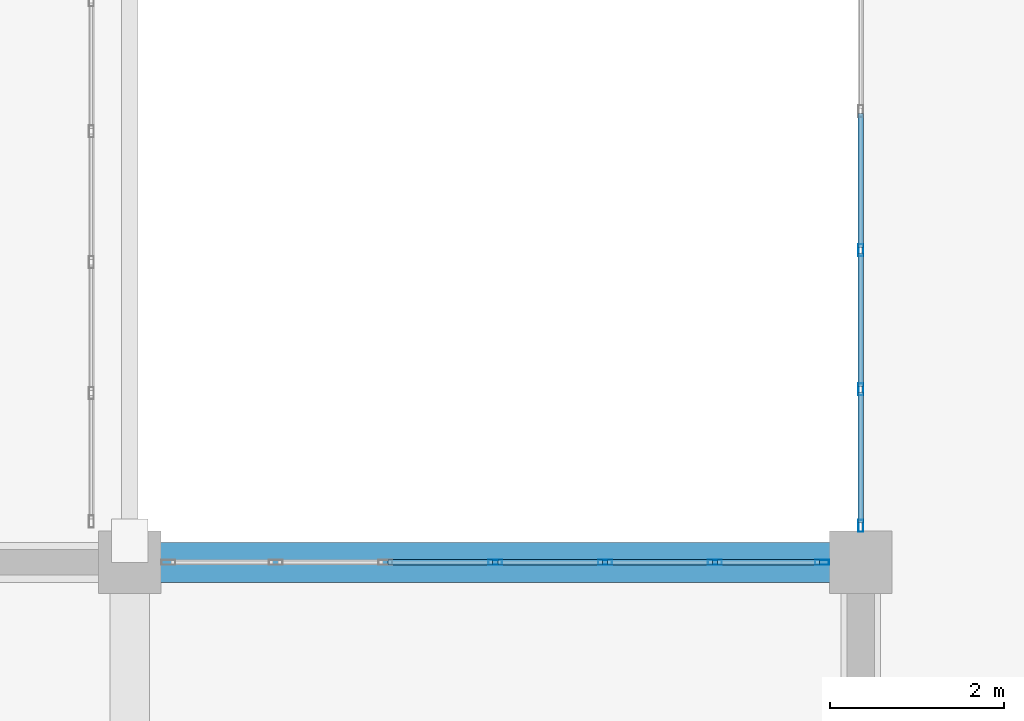
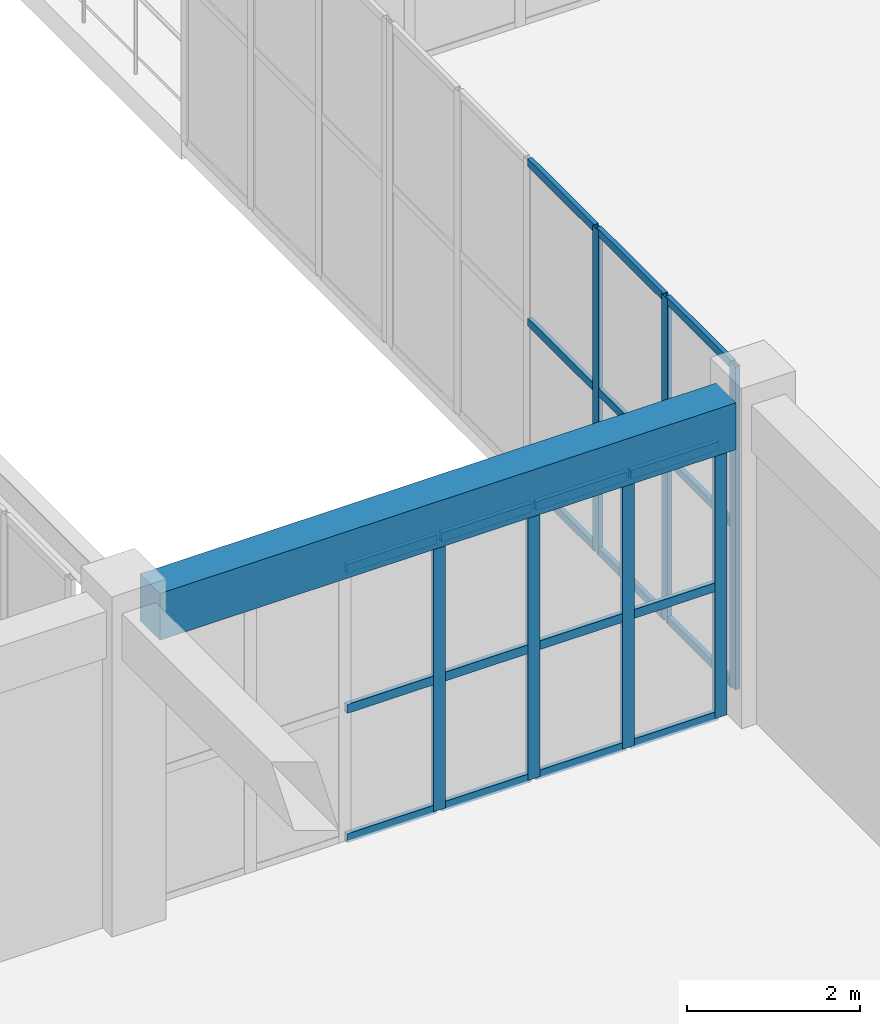
# One storey, part 67 of 158: 28 members, 1 beam, 2 elements without a shape of their own.
"""IFC4 building model written with IfcOpenShell, lengths in metres."""

from ifc_helpers import new_model, si_unit, direction, frame, origin, origin_2d, place, context, subcontext, project, spatial, rectangle, hollow_rectangle, extrude, material, layer, layer_set, material_profile, profile_set, type_object, element, aggregate, save


model = new_model("IFC4")

# Units and contexts
model_context = context("Model", 3, precision=1e-05, world=origin(), true_north=direction((0.0, 1.0)))
body_context = subcontext(model_context, "Body", "Model", "MODEL_VIEW")
ifc_project = project(units=[si_unit("LENGTHUNIT", "METRE"), si_unit("AREAUNIT", "SQUARE_METRE"), si_unit("VOLUMEUNIT", "CUBIC_METRE"), si_unit("PLANEANGLEUNIT", "RADIAN"), si_unit("MASSUNIT", "GRAM", prefix="KILO")], contexts=[model_context])

# Site, building, storey
site_placement = place(None, origin())
site = spatial("IfcSite", under=ifc_project, at=site_placement, CompositionType="ELEMENT")
building_placement = place(site_placement, origin())
building = spatial("IfcBuilding", under=site, at=building_placement, Name="Trelvath General Hospital", CompositionType="ELEMENT")
storey_placement = place(building_placement, frame((0.0, 0.0, 8.10009765625)))
storey = spatial("IfcBuildingStorey", under=building, at=storey_placement, Name="L02", CompositionType="ELEMENT", Elevation=8.10009765625)

# Beam
ifc_material_1 = material(Name="Concrete C35/45", Category="concrete")
ifc_material_profile_1 = material_profile(ifc_material_1, rectangle(XDim=0.4599609375, YDim=0.659912109375, at=origin_2d()), Name="RCB460x660")
ifc_profile_set_1 = profile_set([ifc_material_profile_1], Name="Concrete C35/45")
beam_type = type_object("IfcBeamType", Name="Beam RC460x660", PredefinedType="BEAM", material=ifc_profile_set_1)
beam_placement = place(storey_placement, frame((84.35498046875, 67.199951171875, 4.18994140625), z_axis=(1.0, 0.0, 0.0), x_axis=(0.0, 1.0, 0.0)))
element("IfcBeam", 1, at=beam_placement, inside=storey, type_object=beam_type, Name="Grid Beam BX-210I", PredefinedType="BEAM", context=body_context, shape_type="SweptSolid", body=[
    extrude(rectangle(XDim=0.4599609375, YDim=0.659912109375, at=origin_2d()), origin(), (0.0, 0.0, 1.0), 7.68994140625),
])

# Curtain wall, members
ifc_material_2 = material(Name="Anodised aluminium and low-E glass", Category="aluminium")
ifc_layer_1 = layer(ifc_material_2, 0.139892578125)
ifc_layer_set_1 = layer_set([ifc_layer_1], Name="Anodised aluminium and low-E glass")
curtain_wall_type_1 = type_object("IfcCurtainWallType", Name="CW CrystalCube 799 456 14", PredefinedType="USERDEFINED", material=ifc_layer_set_1)
curtain_wall_1_placement = place(storey_placement, origin())
curtain_wall_1 = element("IfcCurtainWall", 2, at=curtain_wall_1_placement, inside=storey, type_object=curtain_wall_type_1, Name="Crystal Cube Curtain Wall CUBE-E-T1 W6 L02", ObjectType="Unitised Glazed Curtain Wall", PredefinedType="USERDEFINED")
ifc_material_3 = material(Name="Anodised aluminium", Category="aluminium")
ifc_material_profile_2 = material_profile(ifc_material_3, hollow_rectangle(XDim=0.06005859375, YDim=0.139892578125, WallThickness=0.00390625, at=origin_2d()), Name="RHS60x140x4")
ifc_profile_set_2 = profile_set([ifc_material_profile_2], Name="Anodised aluminium")
member_type_1 = type_object("IfcMemberType", Name="CurtainMullion 60x140", PredefinedType="MULLION", material=ifc_profile_set_2)
member_1_placement = place(storey_placement, frame((92.39990234375, 67.6201171875, 0.0), z_axis=(0.0, 0.0, 1.0), x_axis=(-1.0, 0.0, 0.0)))
member_1 = element("IfcMember", 3, at=member_1_placement, type_object=member_type_1, Name="CW-217 mullion 1", PredefinedType="MULLION", context=body_context, shape_type="SweptSolid", body=[
    extrude(hollow_rectangle(XDim=0.06005859375, YDim=0.139892578125, WallThickness=0.00390625, at=origin_2d()), origin(), (0.0, 0.0, 1.0), 4.559814453125),
])
member_2_placement = place(storey_placement, frame((92.39990234375, 69.18798828125, 0.0), z_axis=(0.0, 0.0, 1.0), x_axis=(-1.0, 0.0, 0.0)))
member_2 = element("IfcMember", 4, at=member_2_placement, type_object=member_type_1, Name="CW-217 mullion 2", PredefinedType="MULLION", context=body_context, shape_type="SweptSolid", body=[
    extrude(hollow_rectangle(XDim=0.06005859375, YDim=0.139892578125, WallThickness=0.00390625, at=origin_2d()), origin(), (0.0, 0.0, 1.0), 4.559814453125),
])
member_3_placement = place(storey_placement, frame((92.39990234375, 70.785888671875, 0.0), z_axis=(0.0, 0.0, 1.0), x_axis=(-1.0, 0.0, 0.0)))
member_3 = element("IfcMember", 5, at=member_3_placement, type_object=member_type_1, Name="CW-217 mullion 3", PredefinedType="MULLION", context=body_context, shape_type="SweptSolid", body=[
    extrude(hollow_rectangle(XDim=0.06005859375, YDim=0.139892578125, WallThickness=0.00390625, at=origin_2d()), origin(), (0.0, 0.0, 1.0), 4.559814453125),
])

ifc_material_4 = material(Name="Anodised aluminium and low-E glass", Category="aluminium")
ifc_layer_2 = layer(ifc_material_4, 0.159912109375)
ifc_layer_set_2 = layer_set([ifc_layer_2], Name="Anodised aluminium and low-E glass")
curtain_wall_type_2 = type_object("IfcCurtainWallType", Name="CW Facade 757 386 16", PredefinedType="USERDEFINED", material=ifc_layer_set_2)
curtain_wall_2_placement = place(storey_placement, origin())
curtain_wall_2 = element("IfcCurtainWall", 6, at=curtain_wall_2_placement, inside=storey, type_object=curtain_wall_type_2, Name="Facade Curtain Wall CW-043", ObjectType="Unitised Glazed Curtain Wall", PredefinedType="USERDEFINED")
ifc_material_5 = material(Name="Anodised aluminium", Category="aluminium")
ifc_material_profile_3 = material_profile(ifc_material_5, hollow_rectangle(XDim=0.06005859375, YDim=0.159912109375, WallThickness=0.00390625, at=origin_2d()), Name="RHS60x160x4")
ifc_profile_set_3 = profile_set([ifc_material_profile_3], Name="Anodised aluminium")
member_type_2 = type_object("IfcMemberType", Name="CurtainMullion 60x160", PredefinedType="MULLION", material=ifc_profile_set_3)
member_4_placement = place(storey_placement, frame((88.199951171875, 67.199951171875, 0.0), z_axis=(0.0, 0.0, 1.0), x_axis=(0.0, 1.0, 0.0)))
member_4 = element("IfcMember", 7, at=member_4_placement, type_object=member_type_2, Name="CW-043 mullion 4", PredefinedType="MULLION", context=body_context, shape_type="SweptSolid", body=[
    extrude(hollow_rectangle(XDim=0.06005859375, YDim=0.159912109375, WallThickness=0.00390625, at=origin_2d()), origin(), (0.0, 0.0, 1.0), 3.85986328125),
])
member_5_placement = place(storey_placement, frame((89.461669921875, 67.199951171875, 0.0), z_axis=(0.0, 0.0, 1.0), x_axis=(0.0, 1.0, 0.0)))
member_5 = element("IfcMember", 8, at=member_5_placement, type_object=member_type_2, Name="CW-043 mullion 5", PredefinedType="MULLION", context=body_context, shape_type="SweptSolid", body=[
    extrude(hollow_rectangle(XDim=0.06005859375, YDim=0.159912109375, WallThickness=0.00390625, at=origin_2d()), origin(), (0.0, 0.0, 1.0), 3.85986328125),
])
member_6_placement = place(storey_placement, frame((90.723388671875, 67.199951171875, 0.0), z_axis=(0.0, 0.0, 1.0), x_axis=(0.0, 1.0, 0.0)))
member_6 = element("IfcMember", 9, at=member_6_placement, type_object=member_type_2, Name="CW-043 mullion 6", PredefinedType="MULLION", context=body_context, shape_type="SweptSolid", body=[
    extrude(hollow_rectangle(XDim=0.06005859375, YDim=0.159912109375, WallThickness=0.00390625, at=origin_2d()), origin(), (0.0, 0.0, 1.0), 3.85986328125),
])
member_7_placement = place(storey_placement, frame((91.955078125, 67.199951171875, 0.0), z_axis=(0.0, 0.0, 1.0), x_axis=(0.0, 1.0, 0.0)))
member_7 = element("IfcMember", 10, at=member_7_placement, type_object=member_type_2, Name="CW-043 mullion 7", PredefinedType="MULLION", context=body_context, shape_type="SweptSolid", body=[
    extrude(hollow_rectangle(XDim=0.06005859375, YDim=0.159912109375, WallThickness=0.00390625, at=origin_2d()), origin(), (0.0, 0.0, 1.0), 3.85986328125),
])

# Member
ifc_material_6 = material(Name="Anodised aluminium", Category="aluminium")
ifc_material_profile_4 = material_profile(ifc_material_6, hollow_rectangle(XDim=0.06005859375, YDim=0.110107421875, WallThickness=0.00390625, at=origin_2d()), Name="RHS60x110x4")
ifc_profile_set_4 = profile_set([ifc_material_profile_4], Name="Anodised aluminium")
member_type_3 = type_object("IfcMemberType", Name="CurtainTransom 60x110", PredefinedType="USERDEFINED", material=ifc_profile_set_4)
member_8_placement = place(storey_placement, frame((92.39990234375, 67.64990234375, 0.02978515625), z_axis=(0.0, 1.0, 0.0), x_axis=(-1.0, 0.0, 0.0)))
member_8 = element("IfcMember", 11, at=member_8_placement, type_object=member_type_3, Name="CW-217 transom 1.1", ObjectType="TRANSOM", PredefinedType="USERDEFINED", context=body_context, shape_type="SweptSolid", body=[
    extrude(hollow_rectangle(XDim=0.06005859375, YDim=0.110107421875, WallThickness=0.00390625, at=origin_2d()), origin(), (0.0, 0.0, 1.0), 1.508056640625),
])

member_9_placement = place(storey_placement, frame((92.39990234375, 67.64990234375, 2.27978515625), z_axis=(0.0, 1.0, 0.0), x_axis=(-1.0, 0.0, 0.0)))
member_9 = element("IfcMember", 12, at=member_9_placement, type_object=member_type_3, Name="CW-217 transom 1.2", ObjectType="TRANSOM", PredefinedType="USERDEFINED", context=body_context, shape_type="SweptSolid", body=[
    extrude(hollow_rectangle(XDim=0.06005859375, YDim=0.110107421875, WallThickness=0.00390625, at=origin_2d()), origin(), (0.0, 0.0, 1.0), 1.508056640625),
])

member_10_placement = place(storey_placement, frame((92.39990234375, 67.64990234375, 4.52978515625), z_axis=(0.0, 1.0, 0.0), x_axis=(-1.0, 0.0, 0.0)))
member_10 = element("IfcMember", 13, at=member_10_placement, type_object=member_type_3, Name="CW-217 transom 1.3", ObjectType="TRANSOM", PredefinedType="USERDEFINED", context=body_context, shape_type="SweptSolid", body=[
    extrude(hollow_rectangle(XDim=0.06005859375, YDim=0.110107421875, WallThickness=0.00390625, at=origin_2d()), origin(), (0.0, 0.0, 1.0), 1.508056640625),
])

member_11_placement = place(storey_placement, frame((92.39990234375, 69.218017578125, 0.02978515625), z_axis=(0.0, 1.0, 0.0), x_axis=(-1.0, 0.0, 0.0)))
member_11 = element("IfcMember", 14, at=member_11_placement, type_object=member_type_3, Name="CW-217 transom 2.1", ObjectType="TRANSOM", PredefinedType="USERDEFINED", context=body_context, shape_type="SweptSolid", body=[
    extrude(hollow_rectangle(XDim=0.06005859375, YDim=0.110107421875, WallThickness=0.00390625, at=origin_2d()), origin(), (0.0, 0.0, 1.0), 1.5380859375),
])

member_12_placement = place(storey_placement, frame((92.39990234375, 69.218017578125, 2.27978515625), z_axis=(0.0, 1.0, 0.0), x_axis=(-1.0, 0.0, 0.0)))
member_12 = element("IfcMember", 15, at=member_12_placement, type_object=member_type_3, Name="CW-217 transom 2.2", ObjectType="TRANSOM", PredefinedType="USERDEFINED", context=body_context, shape_type="SweptSolid", body=[
    extrude(hollow_rectangle(XDim=0.06005859375, YDim=0.110107421875, WallThickness=0.00390625, at=origin_2d()), origin(), (0.0, 0.0, 1.0), 1.5380859375),
])

member_13_placement = place(storey_placement, frame((92.39990234375, 69.218017578125, 4.52978515625), z_axis=(0.0, 1.0, 0.0), x_axis=(-1.0, 0.0, 0.0)))
member_13 = element("IfcMember", 16, at=member_13_placement, type_object=member_type_3, Name="CW-217 transom 2.3", ObjectType="TRANSOM", PredefinedType="USERDEFINED", context=body_context, shape_type="SweptSolid", body=[
    extrude(hollow_rectangle(XDim=0.06005859375, YDim=0.110107421875, WallThickness=0.00390625, at=origin_2d()), origin(), (0.0, 0.0, 1.0), 1.5380859375),
])

member_14_placement = place(storey_placement, frame((92.39990234375, 70.81591796875, 0.02978515625), z_axis=(0.0, 1.0, 0.0), x_axis=(-1.0, 0.0, 0.0)))
member_14 = element("IfcMember", 17, at=member_14_placement, type_object=member_type_3, Name="CW-217 transom 3.1", ObjectType="TRANSOM", PredefinedType="USERDEFINED", context=body_context, shape_type="SweptSolid", body=[
    extrude(hollow_rectangle(XDim=0.06005859375, YDim=0.110107421875, WallThickness=0.00390625, at=origin_2d()), origin(), (0.0, 0.0, 1.0), 1.5380859375),
])

member_15_placement = place(storey_placement, frame((92.39990234375, 70.81591796875, 2.27978515625), z_axis=(0.0, 1.0, 0.0), x_axis=(-1.0, 0.0, 0.0)))
member_15 = element("IfcMember", 18, at=member_15_placement, type_object=member_type_3, Name="CW-217 transom 3.2", ObjectType="TRANSOM", PredefinedType="USERDEFINED", context=body_context, shape_type="SweptSolid", body=[
    extrude(hollow_rectangle(XDim=0.06005859375, YDim=0.110107421875, WallThickness=0.00390625, at=origin_2d()), origin(), (0.0, 0.0, 1.0), 1.5380859375),
])

member_16_placement = place(storey_placement, frame((92.39990234375, 70.81591796875, 4.52978515625), z_axis=(0.0, 1.0, 0.0), x_axis=(-1.0, 0.0, 0.0)))
member_16 = element("IfcMember", 19, at=member_16_placement, type_object=member_type_3, Name="CW-217 transom 3.3", ObjectType="TRANSOM", PredefinedType="USERDEFINED", context=body_context, shape_type="SweptSolid", body=[
    extrude(hollow_rectangle(XDim=0.06005859375, YDim=0.110107421875, WallThickness=0.00390625, at=origin_2d()), origin(), (0.0, 0.0, 1.0), 1.5380859375),
])

aggregate(curtain_wall_1, [member_1, member_2, member_3, member_8, member_9, member_10, member_11, member_12, member_13, member_14, member_15, member_16])

ifc_material_7 = material(Name="Anodised aluminium", Category="aluminium")
ifc_material_profile_5 = material_profile(ifc_material_7, hollow_rectangle(XDim=0.06005859375, YDim=0.125, WallThickness=0.00390625, at=origin_2d()), Name="RHS60x125x4")
ifc_profile_set_5 = profile_set([ifc_material_profile_5], Name="Anodised aluminium")
member_type_4 = type_object("IfcMemberType", Name="CurtainTransom 60x125", PredefinedType="USERDEFINED", material=ifc_profile_set_5)
member_17_placement = place(storey_placement, frame((86.96826171875, 67.199951171875, 0.02978515625), z_axis=(1.0, 0.0, 0.0), x_axis=(0.0, 1.0, 0.0)))
member_17 = element("IfcMember", 20, at=member_17_placement, type_object=member_type_4, Name="CW-043 transom 3.1", ObjectType="TRANSOM", PredefinedType="USERDEFINED", context=body_context, shape_type="SweptSolid", body=[
    extrude(hollow_rectangle(XDim=0.06005859375, YDim=0.125, WallThickness=0.00390625, at=origin_2d()), origin(), (0.0, 0.0, 1.0), 1.20166015625),
])

member_18_placement = place(storey_placement, frame((86.96826171875, 67.199951171875, 1.852783203125), z_axis=(1.0, 0.0, 0.0), x_axis=(0.0, 1.0, 0.0)))
member_18 = element("IfcMember", 21, at=member_18_placement, type_object=member_type_4, Name="CW-043 transom 3.2", ObjectType="TRANSOM", PredefinedType="USERDEFINED", context=body_context, shape_type="SweptSolid", body=[
    extrude(hollow_rectangle(XDim=0.06005859375, YDim=0.125, WallThickness=0.00390625, at=origin_2d()), origin(), (0.0, 0.0, 1.0), 1.20166015625),
])

member_19_placement = place(storey_placement, frame((86.96826171875, 67.199951171875, 3.829833984375), z_axis=(1.0, 0.0, 0.0), x_axis=(0.0, 1.0, 0.0)))
member_19 = element("IfcMember", 22, at=member_19_placement, type_object=member_type_4, Name="CW-043 transom 3.3", ObjectType="TRANSOM", PredefinedType="USERDEFINED", context=body_context, shape_type="SweptSolid", body=[
    extrude(hollow_rectangle(XDim=0.06005859375, YDim=0.125, WallThickness=0.00390625, at=origin_2d()), origin(), (0.0, 0.0, 1.0), 1.20166015625),
])

member_20_placement = place(storey_placement, frame((88.22998046875, 67.199951171875, 0.02978515625), z_axis=(1.0, 0.0, 0.0), x_axis=(0.0, 1.0, 0.0)))
member_20 = element("IfcMember", 23, at=member_20_placement, type_object=member_type_4, Name="CW-043 transom 4.1", ObjectType="TRANSOM", PredefinedType="USERDEFINED", context=body_context, shape_type="SweptSolid", body=[
    extrude(hollow_rectangle(XDim=0.06005859375, YDim=0.125, WallThickness=0.00390625, at=origin_2d()), origin(), (0.0, 0.0, 1.0), 1.20166015625),
])

member_21_placement = place(storey_placement, frame((88.22998046875, 67.199951171875, 1.852783203125), z_axis=(1.0, 0.0, 0.0), x_axis=(0.0, 1.0, 0.0)))
member_21 = element("IfcMember", 24, at=member_21_placement, type_object=member_type_4, Name="CW-043 transom 4.2", ObjectType="TRANSOM", PredefinedType="USERDEFINED", context=body_context, shape_type="SweptSolid", body=[
    extrude(hollow_rectangle(XDim=0.06005859375, YDim=0.125, WallThickness=0.00390625, at=origin_2d()), origin(), (0.0, 0.0, 1.0), 1.20166015625),
])

member_22_placement = place(storey_placement, frame((88.22998046875, 67.199951171875, 3.829833984375), z_axis=(1.0, 0.0, 0.0), x_axis=(0.0, 1.0, 0.0)))
member_22 = element("IfcMember", 25, at=member_22_placement, type_object=member_type_4, Name="CW-043 transom 4.3", ObjectType="TRANSOM", PredefinedType="USERDEFINED", context=body_context, shape_type="SweptSolid", body=[
    extrude(hollow_rectangle(XDim=0.06005859375, YDim=0.125, WallThickness=0.00390625, at=origin_2d()), origin(), (0.0, 0.0, 1.0), 1.20166015625),
])

member_23_placement = place(storey_placement, frame((89.49169921875, 67.199951171875, 0.02978515625), z_axis=(1.0, 0.0, 0.0), x_axis=(0.0, 1.0, 0.0)))
member_23 = element("IfcMember", 26, at=member_23_placement, type_object=member_type_4, Name="CW-043 transom 5.1", ObjectType="TRANSOM", PredefinedType="USERDEFINED", context=body_context, shape_type="SweptSolid", body=[
    extrude(hollow_rectangle(XDim=0.06005859375, YDim=0.125, WallThickness=0.00390625, at=origin_2d()), origin(), (0.0, 0.0, 1.0), 1.20166015625),
])

member_24_placement = place(storey_placement, frame((89.49169921875, 67.199951171875, 1.852783203125), z_axis=(1.0, 0.0, 0.0), x_axis=(0.0, 1.0, 0.0)))
member_24 = element("IfcMember", 27, at=member_24_placement, type_object=member_type_4, Name="CW-043 transom 5.2", ObjectType="TRANSOM", PredefinedType="USERDEFINED", context=body_context, shape_type="SweptSolid", body=[
    extrude(hollow_rectangle(XDim=0.06005859375, YDim=0.125, WallThickness=0.00390625, at=origin_2d()), origin(), (0.0, 0.0, 1.0), 1.20166015625),
])

member_25_placement = place(storey_placement, frame((89.49169921875, 67.199951171875, 3.829833984375), z_axis=(1.0, 0.0, 0.0), x_axis=(0.0, 1.0, 0.0)))
member_25 = element("IfcMember", 28, at=member_25_placement, type_object=member_type_4, Name="CW-043 transom 5.3", ObjectType="TRANSOM", PredefinedType="USERDEFINED", context=body_context, shape_type="SweptSolid", body=[
    extrude(hollow_rectangle(XDim=0.06005859375, YDim=0.125, WallThickness=0.00390625, at=origin_2d()), origin(), (0.0, 0.0, 1.0), 1.20166015625),
])

member_26_placement = place(storey_placement, frame((90.75341796875, 67.199951171875, 0.02978515625), z_axis=(1.0, 0.0, 0.0), x_axis=(0.0, 1.0, 0.0)))
member_26 = element("IfcMember", 29, at=member_26_placement, type_object=member_type_4, Name="CW-043 transom 6.1", ObjectType="TRANSOM", PredefinedType="USERDEFINED", context=body_context, shape_type="SweptSolid", body=[
    extrude(hollow_rectangle(XDim=0.06005859375, YDim=0.125, WallThickness=0.00390625, at=origin_2d()), origin(), (0.0, 0.0, 1.0), 1.171630859375),
])

member_27_placement = place(storey_placement, frame((90.75341796875, 67.199951171875, 1.852783203125), z_axis=(1.0, 0.0, 0.0), x_axis=(0.0, 1.0, 0.0)))
member_27 = element("IfcMember", 30, at=member_27_placement, type_object=member_type_4, Name="CW-043 transom 6.2", ObjectType="TRANSOM", PredefinedType="USERDEFINED", context=body_context, shape_type="SweptSolid", body=[
    extrude(hollow_rectangle(XDim=0.06005859375, YDim=0.125, WallThickness=0.00390625, at=origin_2d()), origin(), (0.0, 0.0, 1.0), 1.171630859375),
])

member_28_placement = place(storey_placement, frame((90.75341796875, 67.199951171875, 3.829833984375), z_axis=(1.0, 0.0, 0.0), x_axis=(0.0, 1.0, 0.0)))
member_28 = element("IfcMember", 31, at=member_28_placement, type_object=member_type_4, Name="CW-043 transom 6.3", ObjectType="TRANSOM", PredefinedType="USERDEFINED", context=body_context, shape_type="SweptSolid", body=[
    extrude(hollow_rectangle(XDim=0.06005859375, YDim=0.125, WallThickness=0.00390625, at=origin_2d()), origin(), (0.0, 0.0, 1.0), 1.171630859375),
])

aggregate(curtain_wall_2, [member_4, member_5, member_6, member_7, member_17, member_18, member_19, member_20, member_21, member_22, member_23, member_24, member_25, member_26, member_27, member_28])

save(model, "model.ifc")
